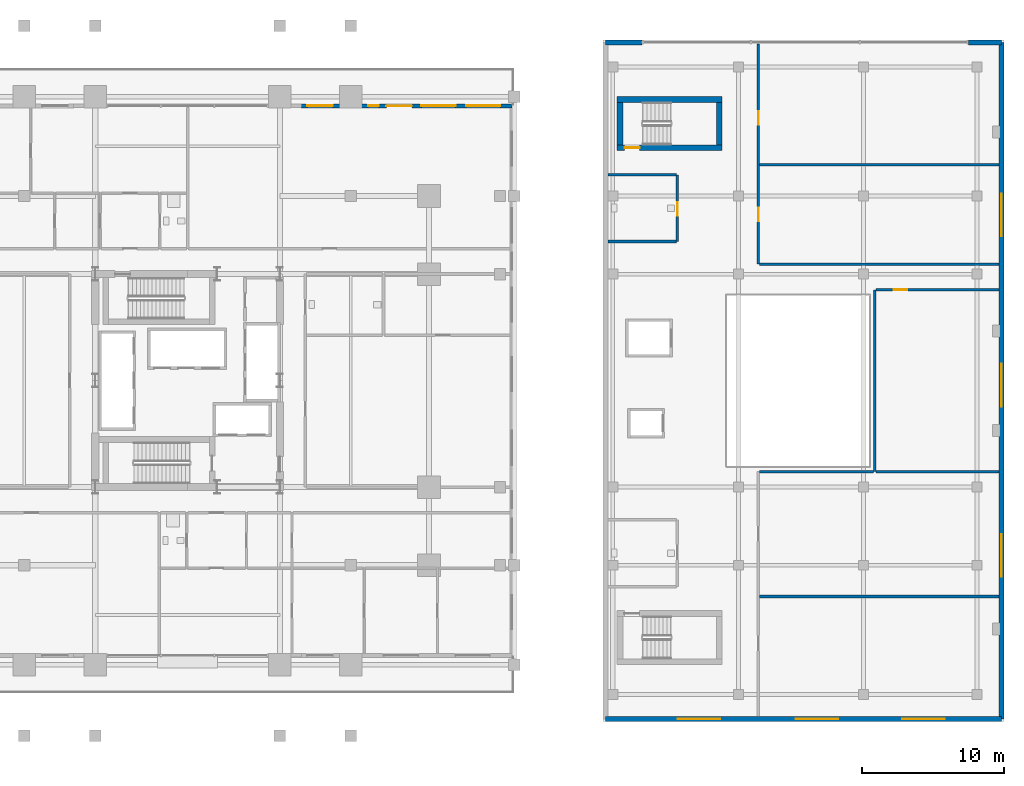
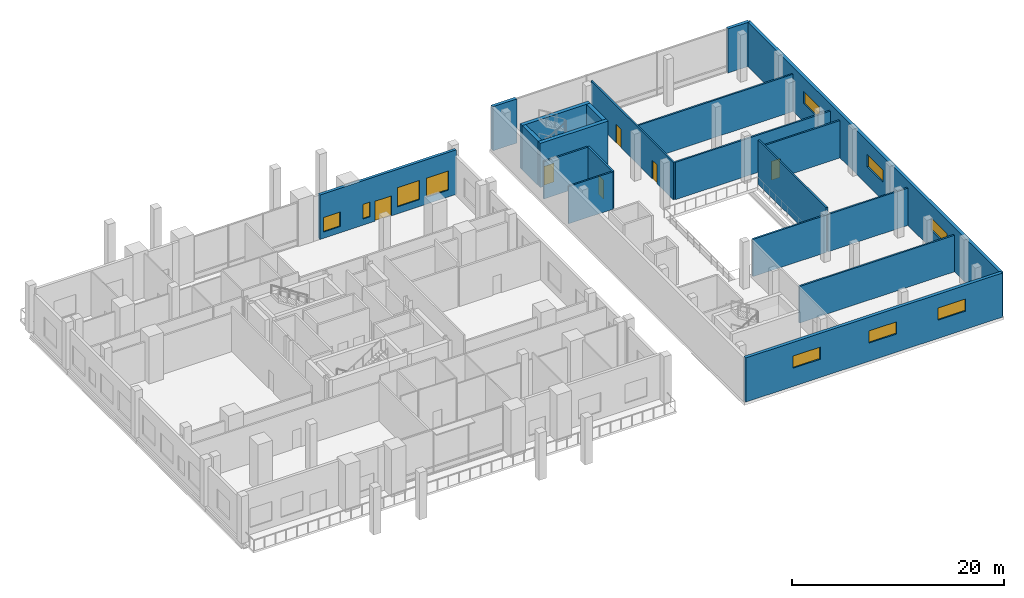
# One storey, part 15 of 22: 20 walls, 10 windows, 6 doors, 16 openings.
"""IFC4 building model written with IfcOpenShell, lengths in metres."""

from ifc_helpers import new_model, si_unit, direction, frame, frame_2d, origin, place, context, subcontext, project, spatial, rectangle, extrude, material, layer, layer_set, type_object, element, fill, save


model = new_model("IFC4")

# Units and contexts
model_context = context("Model", 3, precision=1e-05, world=origin(), true_north=direction((0.0, 1.0)))
body_context = subcontext(model_context, "Body", "Model", "MODEL_VIEW")
ifc_project = project(units=[si_unit("LENGTHUNIT", "METRE"), si_unit("AREAUNIT", "SQUARE_METRE"), si_unit("VOLUMEUNIT", "CUBIC_METRE"), si_unit("PLANEANGLEUNIT", "RADIAN"), si_unit("MASSUNIT", "GRAM", prefix="KILO")], contexts=[model_context])

# Site, building, storey
site_placement = place(None, origin())
site = spatial("IfcSite", under=ifc_project, at=site_placement, CompositionType="ELEMENT")
building_placement = place(site_placement, origin())
building = spatial("IfcBuilding", under=site, at=building_placement, Name="Barlavira Tower and Art Museum", CompositionType="ELEMENT")
storey_placement = place(building_placement, frame((0.0, 0.0, 16.800048828125)))
storey = spatial("IfcBuildingStorey", under=building, at=storey_placement, Name="L03", CompositionType="ELEMENT", Elevation=16.800048828125)

# Wall, opening, door
ifc_material_1 = material(Name="Gypsum acoustic stud partition", Category="gypsum")
ifc_layer_1 = layer(ifc_material_1, 0.179931640625, Name="Gypsum acoustic stud partition")
ifc_layer_set_1 = layer_set([ifc_layer_1], Name="Gypsum acoustic stud partition")
wall_type_1 = type_object("IfcWallType", Name="Inter-Tenancy Party Partition Wall 180", PredefinedType="PARTITIONING", material=ifc_layer_set_1)
wall_1_placement = place(storey_placement, frame((34.5, 9.800048828125, 0.0), z_axis=(0.0, 0.0, 1.0), x_axis=(0.0, 1.0, 0.0)))
wall_1 = element("IfcWall", 1, at=wall_1_placement, inside=storey, type_object=wall_type_1, Name="L03 Partition Wall 18", PredefinedType="PARTITIONING", context=body_context, shape_type="SweptSolid", body=[
    extrude(rectangle(XDim=4.699951171875, YDim=0.179931640625, at=frame_2d((2.35009765625, 0.0))), origin(), (0.0, 0.0, 1.0), 4.296875),
])
opening_1_placement = place(wall_1_placement, frame((1.824951171875, 0.0, 0.0)))
opening_1 = element("IfcOpeningElement", 2, at=opening_1_placement, cuts=wall_1, Name="Opening FD-60", PredefinedType="OPENING", context=body_context, shape_type="SweptSolid", body=[
    extrude(rectangle(XDim=0.949951171875, YDim=2.14990234375, at=frame_2d((0.47509765625, 1.074951171875))), frame((0.0, 0.10009765625, 0.0), z_axis=(0.0, -1.0, 0.0), x_axis=(1.0, 0.0, 0.0)), (0.0, 0.0, 1.0), 0.199951171875),
])
ifc_material_2 = material(Name="Brushed stainless steel", Category="steel")
door_type_1 = type_object("IfcDoorType", Name="Apartment Entrance and Riser Fire Door 950x2150 FD60S", OperationType="NOTDEFINED", PredefinedType="DOOR", material=ifc_material_2)
door_1_placement = place(opening_1_placement, origin())
door_1 = element("IfcDoor", 3, at=door_1_placement, inside=storey, type_object=door_type_1, Name="L03 Museum Visitor Restrooms Door", OperationType="SINGLE_SWING_RIGHT", OverallHeight=2.14990234375, OverallWidth=0.949951171875, PredefinedType="DOOR", context=body_context, shape_type="SweptSolid", body=[
    extrude(rectangle(XDim=0.949951171875, YDim=2.14990234375, at=frame_2d((0.47509765625, 1.074951171875))), frame((0.0, 0.02490234375, 0.0), z_axis=(0.0, -1.0, 0.0), x_axis=(1.0, 0.0, 0.0)), (0.0, 0.0, 1.0), 0.050048828125),
])
fill(opening_1, door_1)

# Wall, openings, doors
wall_2_placement = place(storey_placement, frame((40.199951171875, 8.199951171875, 0.0), z_axis=(0.0, 0.0, 1.0), x_axis=(0.0, 1.0, 0.0)))
wall_2 = element("IfcWall", 4, at=wall_2_placement, inside=storey, type_object=wall_type_1, Name="L03 Partition Wall 20", PredefinedType="PARTITIONING", context=body_context, shape_type="SweptSolid", body=[
    extrude(rectangle(XDim=15.52001953125, YDim=0.179931640625, at=frame_2d((7.760009765625, 0.0))), origin(), (0.0, 0.0, 1.0), 4.296875),
])
opening_2_placement = place(wall_2_placement, frame((3.02490234375, 0.0, 0.0)))
opening_2 = element("IfcOpeningElement", 5, at=opening_2_placement, cuts=wall_2, Name="Opening FD-60", PredefinedType="OPENING", context=body_context, shape_type="SweptSolid", body=[
    extrude(rectangle(XDim=0.949951171875, YDim=2.14990234375, at=frame_2d((0.47509765625, 1.074951171875))), frame((0.0, 0.10009765625, 0.0), z_axis=(0.0, -1.0, 0.0), x_axis=(1.0, 0.0, 0.0)), (0.0, 0.0, 1.0), 0.199951171875),
])
opening_3_placement = place(wall_2_placement, frame((9.824951171875, 0.0, 0.0)))
opening_3 = element("IfcOpeningElement", 6, at=opening_3_placement, cuts=wall_2, Name="Opening FD-60", PredefinedType="OPENING", context=body_context, shape_type="SweptSolid", body=[
    extrude(rectangle(XDim=0.949951171875, YDim=2.14990234375, at=frame_2d((0.47509765625, 1.074951171875))), frame((0.0, 0.10009765625, 0.0), z_axis=(0.0, -1.0, 0.0), x_axis=(1.0, 0.0, 0.0)), (0.0, 0.0, 1.0), 0.199951171875),
])
door_2_placement = place(opening_2_placement, origin())
door_2 = element("IfcDoor", 7, at=door_2_placement, inside=storey, type_object=door_type_1, Name="L03 North Coastal Contemporary Art Gallery Door", OperationType="SINGLE_SWING_RIGHT", OverallHeight=2.14990234375, OverallWidth=0.949951171875, PredefinedType="DOOR", context=body_context, shape_type="SweptSolid", body=[
    extrude(rectangle(XDim=0.949951171875, YDim=2.14990234375, at=frame_2d((0.47509765625, 1.074951171875))), frame((0.0, 0.02490234375, 0.0), z_axis=(0.0, -1.0, 0.0), x_axis=(1.0, 0.0, 0.0)), (0.0, 0.0, 1.0), 0.050048828125),
])
fill(opening_2, door_2)
door_3_placement = place(opening_3_placement, origin())
door_3 = element("IfcDoor", 8, at=door_3_placement, inside=storey, type_object=door_type_1, Name="L03 Curatorial Seminar Workshop Door", OperationType="SINGLE_SWING_LEFT", OverallHeight=2.14990234375, OverallWidth=0.949951171875, PredefinedType="DOOR", context=body_context, shape_type="SweptSolid", body=[
    extrude(rectangle(XDim=0.949951171875, YDim=2.14990234375, at=frame_2d((0.47509765625, 1.074951171875))), frame((0.0, 0.02490234375, 0.0), z_axis=(0.0, -1.0, 0.0), x_axis=(1.0, 0.0, 0.0)), (0.0, 0.0, 1.0), 0.050048828125),
])
fill(opening_3, door_3)

# Walls
wall_3_placement = place(storey_placement, frame((48.39990234375, -6.39990234375, 0.0), z_axis=(0.0, 0.0, 1.0), x_axis=(0.0, 1.0, 0.0)))
element("IfcWall", 9, at=wall_3_placement, inside=storey, type_object=wall_type_1, Name="L03 Partition Wall 21", PredefinedType="PARTITIONING", context=body_context, shape_type="SweptSolid", body=[
    extrude(rectangle(XDim=12.7998046875, YDim=0.179931640625, at=frame_2d((6.39990234375, 0.0))), origin(), (0.0, 0.0, 1.0), 5.079833984375),
])
wall_4_placement = place(storey_placement, frame((40.280029296875, -15.199951171875, 0.0), z_axis=(0.0, 0.0, 1.0), x_axis=(1.0, 0.0, 0.0)))
element("IfcWall", 10, at=wall_4_placement, inside=storey, type_object=wall_type_1, Name="L03 Partition Wall 22", PredefinedType="PARTITIONING", context=body_context, shape_type="SweptSolid", body=[
    extrude(rectangle(XDim=16.864990234375, YDim=0.179931640625, at=frame_2d((8.4326171875, 0.0))), origin(), (0.0, 0.0, 1.0), 4.2138671875),
])
wall_5_placement = place(storey_placement, frame((40.280029296875, -6.39990234375, 0.0), z_axis=(0.0, 0.0, 1.0), x_axis=(1.0, 0.0, 0.0)))
element("IfcWall", 11, at=wall_5_placement, inside=storey, type_object=wall_type_1, Name="L03 Partition Wall 38", PredefinedType="PARTITIONING", context=body_context, shape_type="SweptSolid", body=[
    extrude(rectangle(XDim=8.0400390625, YDim=0.179931640625, at=frame_2d((4.02001953125, 0.0))), origin(), (0.0, 0.0, 1.0), 4.296875),
])
wall_6_placement = place(storey_placement, frame((48.47998046875, -6.39990234375, 0.0), z_axis=(0.0, 0.0, 1.0), x_axis=(1.0, 0.0, 0.0)))
element("IfcWall", 12, at=wall_6_placement, inside=storey, type_object=wall_type_1, Name="L03 Partition Wall 39", PredefinedType="PARTITIONING", context=body_context, shape_type="SweptSolid", body=[
    extrude(rectangle(XDim=8.6650390625, YDim=0.179931640625, at=frame_2d((4.33251953125, 0.0))), origin(), (0.0, 0.0, 1.0), 4.296875),
])

# Wall, opening, door
wall_7_placement = place(storey_placement, frame((48.47998046875, 6.39990234375, 0.0), z_axis=(0.0, 0.0, 1.0), x_axis=(1.0, 0.0, 0.0)))
wall_7 = element("IfcWall", 13, at=wall_7_placement, inside=storey, type_object=wall_type_1, Name="L03 Partition Wall 42", PredefinedType="PARTITIONING", context=body_context, shape_type="SweptSolid", body=[
    extrude(rectangle(XDim=8.6650390625, YDim=0.179931640625, at=frame_2d((4.33251953125, 0.0))), origin(), (0.0, 0.0, 1.0), 4.296875),
])
opening_4_placement = place(wall_7_placement, frame((1.2451171875, 0.0, 0.0)))
opening_4 = element("IfcOpeningElement", 14, at=opening_4_placement, cuts=wall_7, Name="Opening FD-60", PredefinedType="OPENING", context=body_context, shape_type="SweptSolid", body=[
    extrude(rectangle(XDim=0.949951171875, YDim=2.14990234375, at=frame_2d((0.47509765625, 1.074951171875))), frame((0.0, 0.10009765625, 0.0), z_axis=(0.0, -1.0, 0.0), x_axis=(1.0, 0.0, 0.0)), (0.0, 0.0, 1.0), 0.199951171875),
])
door_4_placement = place(opening_4_placement, origin())
door_4 = element("IfcDoor", 15, at=door_4_placement, inside=storey, type_object=door_type_1, Name="L03 East Daylight Bridge Gallery Door", OperationType="SINGLE_SWING_RIGHT", OverallHeight=2.14990234375, OverallWidth=0.949951171875, PredefinedType="DOOR", context=body_context, shape_type="SweptSolid", body=[
    extrude(rectangle(XDim=0.949951171875, YDim=2.14990234375, at=frame_2d((0.47509765625, 1.074951171875))), frame((0.0, 0.02490234375, 0.0), z_axis=(0.0, -1.0, 0.0), x_axis=(1.0, 0.0, 0.0)), (0.0, 0.0, 1.0), 0.050048828125),
])
fill(opening_4, door_4)

# Walls
wall_8_placement = place(storey_placement, frame((40.280029296875, 8.199951171875, 0.0), z_axis=(0.0, 0.0, 1.0), x_axis=(1.0, 0.0, 0.0)))
element("IfcWall", 16, at=wall_8_placement, inside=storey, type_object=wall_type_1, Name="L03 Partition Wall 47", PredefinedType="PARTITIONING", context=body_context, shape_type="SweptSolid", body=[
    extrude(rectangle(XDim=16.864990234375, YDim=0.179931640625, at=frame_2d((8.4326171875, 0.0))), origin(), (0.0, 0.0, 1.0), 4.296875),
])
for number, where, z_axis, x_axis, name in (
    (17, (29.60498046875, 9.800048828125, 0.0), (0.0, 0.0, 1.0), (1.0, 0.0, 0.0), "L03 Partition Wall 53"),
    (18, (29.60498046875, 14.5, 0.0), (0.0, 0.0, 1.0), (1.0, 0.0, 0.0), "L03 Partition Wall 60"),
):
    element("IfcWall", number, at=place(storey_placement, frame(where, z_axis=z_axis, x_axis=x_axis)), inside=storey, type_object=wall_type_1, Name=name, PredefinedType="PARTITIONING", context=body_context, shape_type="SweptSolid", body=[
        extrude(rectangle(XDim=4.81494140625, YDim=0.179931640625, at=frame_2d((2.407470703125, 0.0))), origin(), (0.0, 0.0, 1.0), 4.296875),
    ])
wall_9_placement = place(storey_placement, frame((40.280029296875, 15.199951171875, 0.0), z_axis=(0.0, 0.0, 1.0), x_axis=(1.0, 0.0, 0.0)))
element("IfcWall", 19, at=wall_9_placement, inside=storey, type_object=wall_type_1, Name="L03 Partition Wall 61", PredefinedType="PARTITIONING", context=body_context, shape_type="SweptSolid", body=[
    extrude(rectangle(XDim=16.864990234375, YDim=0.179931640625, at=frame_2d((8.4326171875, 0.0))), origin(), (0.0, 0.0, 1.0), 4.296875),
])

# Wall, openings, windows
ifc_material_3 = material(Name="Precast concrete C40", Category="concrete")
ifc_layer_2 = layer(ifc_material_3, 0.35009765625, Name="Precast concrete C40")
ifc_layer_set_2 = layer_set([ifc_layer_2], Name="Precast concrete C40")
wall_type_2 = type_object("IfcWallType", Name="Museum Board-Formed Concrete Facade Wall 350 Concrete C40", PredefinedType="SOLIDWALL", material=ifc_layer_set_2)
wall_10_placement = place(storey_placement, frame((57.324951171875, -23.824951171875, 0.0), z_axis=(0.0, 0.0, 1.0), x_axis=(-1.0, 0.0, 0.0)))
wall_10 = element("IfcWall", 20, at=wall_10_placement, inside=storey, type_object=wall_type_2, Name="L03 Museum South Facade Wall", PredefinedType="SOLIDWALL", context=body_context, shape_type="SweptSolid", body=[
    extrude(rectangle(XDim=27.89990234375, YDim=0.35009765625, at=frame_2d((13.949951171875, 0.0))), origin(), (0.0, 0.0, 1.0), 5.079833984375),
])
opening_5_placement = place(wall_10_placement, frame((4.0, 0.0, 2.10009765625)))
opening_5 = element("IfcOpeningElement", 21, at=opening_5_placement, cuts=wall_10, Name="Opening WN-03", PredefinedType="OPENING", context=body_context, shape_type="SweptSolid", body=[
    extrude(rectangle(XDim=3.0, YDim=1.39990234375, at=frame_2d((1.5, 0.699951171875))), frame((0.0, 0.18505859375, 0.0), z_axis=(0.0, -1.0, 0.0), x_axis=(1.0, 0.0, 0.0)), (0.0, 0.0, 1.0), 0.3701171875),
])
opening_6_placement = place(wall_10_placement, frame((11.5, 0.0, 2.10009765625)))
opening_6 = element("IfcOpeningElement", 22, at=opening_6_placement, cuts=wall_10, Name="Opening WN-03", PredefinedType="OPENING", context=body_context, shape_type="SweptSolid", body=[
    extrude(rectangle(XDim=3.0, YDim=1.39990234375, at=frame_2d((1.5, 0.699951171875))), frame((0.0, 0.18505859375, 0.0), z_axis=(0.0, -1.0, 0.0), x_axis=(1.0, 0.0, 0.0)), (0.0, 0.0, 1.0), 0.3701171875),
])
opening_7_placement = place(wall_10_placement, frame((19.800048828125, 0.0, 2.10009765625)))
opening_7 = element("IfcOpeningElement", 23, at=opening_7_placement, cuts=wall_10, Name="Opening WN-03", PredefinedType="OPENING", context=body_context, shape_type="SweptSolid", body=[
    extrude(rectangle(XDim=3.0, YDim=1.39990234375, at=frame_2d((1.5, 0.699951171875))), frame((0.0, 0.18505859375, 0.0), z_axis=(0.0, -1.0, 0.0), x_axis=(1.0, 0.0, 0.0)), (0.0, 0.0, 1.0), 0.3701171875),
])
ifc_material_4 = material(Name="Low-iron coastal laminated glass", Category="glass")
window_type_1 = type_object("IfcWindowType", Name="Museum Controlled-Daylight Clerestory Window 3000x1400", PartitioningType="SINGLE_PANEL", PredefinedType="WINDOW", material=ifc_material_4)
window_1_placement = place(opening_5_placement, origin())
window_1 = element("IfcWindow", 24, at=window_1_placement, inside=storey, type_object=window_type_1, Name="L03 Museum Clerestory Window S1", OverallHeight=1.39990234375, OverallWidth=3.0, PartitioningType="SINGLE_PANEL", PredefinedType="WINDOW", context=body_context, shape_type="SweptSolid", body=[
    extrude(rectangle(XDim=3.0, YDim=1.39990234375, at=frame_2d((1.5, 0.699951171875))), frame((0.0, 0.030029296875, 0.0), z_axis=(0.0, -1.0, 0.0), x_axis=(1.0, 0.0, 0.0)), (0.0, 0.0, 1.0), 0.06005859375),
])
fill(opening_5, window_1)
window_2_placement = place(opening_6_placement, origin())
window_2 = element("IfcWindow", 25, at=window_2_placement, inside=storey, type_object=window_type_1, Name="L03 Museum Clerestory Window S2", OverallHeight=1.39990234375, OverallWidth=3.0, PartitioningType="SINGLE_PANEL", PredefinedType="WINDOW", context=body_context, shape_type="SweptSolid", body=[
    extrude(rectangle(XDim=3.0, YDim=1.39990234375, at=frame_2d((1.5, 0.699951171875))), frame((0.0, 0.030029296875, 0.0), z_axis=(0.0, -1.0, 0.0), x_axis=(1.0, 0.0, 0.0)), (0.0, 0.0, 1.0), 0.06005859375),
])
fill(opening_6, window_2)
window_3_placement = place(opening_7_placement, origin())
window_3 = element("IfcWindow", 26, at=window_3_placement, inside=storey, type_object=window_type_1, Name="L03 Museum Clerestory Window S3", OverallHeight=1.39990234375, OverallWidth=3.0, PartitioningType="SINGLE_PANEL", PredefinedType="WINDOW", context=body_context, shape_type="SweptSolid", body=[
    extrude(rectangle(XDim=3.0, YDim=1.39990234375, at=frame_2d((1.5, 0.699951171875))), frame((0.0, 0.030029296875, 0.0), z_axis=(0.0, -1.0, 0.0), x_axis=(1.0, 0.0, 0.0)), (0.0, 0.0, 1.0), 0.06005859375),
])
fill(opening_7, window_3)

wall_11_placement = place(storey_placement, frame((57.324951171875, -23.824951171875, 0.0), z_axis=(0.0, 0.0, 1.0), x_axis=(0.0, 1.0, 0.0)))
wall_11 = element("IfcWall", 27, at=wall_11_placement, inside=storey, type_object=wall_type_2, Name="L03 Museum East Coastal Facade Wall", PredefinedType="SOLIDWALL", context=body_context, shape_type="SweptSolid", body=[
    extrude(rectangle(XDim=47.64990234375, YDim=0.35009765625, at=frame_2d((23.824951171875, 0.0))), origin(), (0.0, 0.0, 1.0), 5.079833984375),
])
opening_8_placement = place(wall_11_placement, frame((10.0, 0.0, 2.10009765625)))
opening_8 = element("IfcOpeningElement", 28, at=opening_8_placement, cuts=wall_11, Name="Opening WN-03", PredefinedType="OPENING", context=body_context, shape_type="SweptSolid", body=[
    extrude(rectangle(XDim=3.0, YDim=1.39990234375, at=frame_2d((1.5, 0.699951171875))), frame((0.0, 0.18505859375, 0.0), z_axis=(0.0, -1.0, 0.0), x_axis=(1.0, 0.0, 0.0)), (0.0, 0.0, 1.0), 0.3701171875),
])
opening_9_placement = place(wall_11_placement, frame((22.0, 0.0, 2.10009765625)))
opening_9 = element("IfcOpeningElement", 29, at=opening_9_placement, cuts=wall_11, Name="Opening WN-03", PredefinedType="OPENING", context=body_context, shape_type="SweptSolid", body=[
    extrude(rectangle(XDim=3.0, YDim=1.39990234375, at=frame_2d((1.5, 0.699951171875))), frame((0.0, 0.18505859375, 0.0), z_axis=(0.0, -1.0, 0.0), x_axis=(1.0, 0.0, 0.0)), (0.0, 0.0, 1.0), 0.3701171875),
])
opening_10_placement = place(wall_11_placement, frame((34.0, 0.0, 2.10009765625)))
opening_10 = element("IfcOpeningElement", 30, at=opening_10_placement, cuts=wall_11, Name="Opening WN-03", PredefinedType="OPENING", context=body_context, shape_type="SweptSolid", body=[
    extrude(rectangle(XDim=3.0, YDim=1.39990234375, at=frame_2d((1.5, 0.699951171875))), frame((0.0, 0.18505859375, 0.0), z_axis=(0.0, -1.0, 0.0), x_axis=(1.0, 0.0, 0.0)), (0.0, 0.0, 1.0), 0.3701171875),
])
window_4_placement = place(opening_8_placement, origin())
window_4 = element("IfcWindow", 31, at=window_4_placement, inside=storey, type_object=window_type_1, Name="L03 Museum Coastal Clerestory Window E1", OverallHeight=1.39990234375, OverallWidth=3.0, PartitioningType="SINGLE_PANEL", PredefinedType="WINDOW", context=body_context, shape_type="SweptSolid", body=[
    extrude(rectangle(XDim=3.0, YDim=1.39990234375, at=frame_2d((1.5, 0.699951171875))), frame((0.0, 0.030029296875, 0.0), z_axis=(0.0, -1.0, 0.0), x_axis=(1.0, 0.0, 0.0)), (0.0, 0.0, 1.0), 0.06005859375),
])
fill(opening_8, window_4)
window_5_placement = place(opening_9_placement, origin())
window_5 = element("IfcWindow", 32, at=window_5_placement, inside=storey, type_object=window_type_1, Name="L03 Museum Coastal Clerestory Window E2", OverallHeight=1.39990234375, OverallWidth=3.0, PartitioningType="SINGLE_PANEL", PredefinedType="WINDOW", context=body_context, shape_type="SweptSolid", body=[
    extrude(rectangle(XDim=3.0, YDim=1.39990234375, at=frame_2d((1.5, 0.699951171875))), frame((0.0, 0.030029296875, 0.0), z_axis=(0.0, -1.0, 0.0), x_axis=(1.0, 0.0, 0.0)), (0.0, 0.0, 1.0), 0.06005859375),
])
fill(opening_9, window_5)
window_6_placement = place(opening_10_placement, origin())
window_6 = element("IfcWindow", 33, at=window_6_placement, inside=storey, type_object=window_type_1, Name="L03 Museum Coastal Clerestory Window E3", OverallHeight=1.39990234375, OverallWidth=3.0, PartitioningType="SINGLE_PANEL", PredefinedType="WINDOW", context=body_context, shape_type="SweptSolid", body=[
    extrude(rectangle(XDim=3.0, YDim=1.39990234375, at=frame_2d((1.5, 0.699951171875))), frame((0.0, 0.030029296875, 0.0), z_axis=(0.0, -1.0, 0.0), x_axis=(1.0, 0.0, 0.0)), (0.0, 0.0, 1.0), 0.06005859375),
])
fill(opening_10, window_6)

# Walls
wall_12_placement = place(storey_placement, frame((57.324951171875, 23.824951171875, 0.0), z_axis=(0.0, 0.0, 1.0), x_axis=(-1.0, 0.0, 0.0)))
element("IfcWall", 34, at=wall_12_placement, inside=storey, type_object=wall_type_2, Name="L03 Museum North-East Pier Wall", PredefinedType="SOLIDWALL", context=body_context, shape_type="SweptSolid", body=[
    extrude(rectangle(XDim=2.324951171875, YDim=0.35009765625, at=frame_2d((1.16259765625, 0.0))), origin(), (0.0, 0.0, 1.0), 5.079833984375),
])
wall_13_placement = place(storey_placement, frame((29.425048828125, 23.824951171875, 0.0), z_axis=(0.0, 0.0, 1.0), x_axis=(1.0, 0.0, 0.0)))
element("IfcWall", 35, at=wall_13_placement, inside=storey, type_object=wall_type_2, Name="L03 Museum North-West Pier Wall", PredefinedType="SOLIDWALL", context=body_context, shape_type="SweptSolid", body=[
    extrude(rectangle(XDim=2.574951171875, YDim=0.35009765625, at=frame_2d((1.28759765625, 0.0))), origin(), (0.0, 0.0, 1.0), 5.079833984375),
])

# Wall, openings, windows, door
ifc_layer_3 = layer(ifc_material_3, 0.300048828125, Name="Precast concrete C40")
ifc_layer_set_3 = layer_set([ifc_layer_3], Name="Precast concrete C40")
wall_type_3 = type_object("IfcWallType", Name="Podium Architectural Precast Facade Wall 300 Concrete C40", PredefinedType="SOLIDWALL", material=ifc_layer_set_3)
wall_14_placement = place(storey_placement, frame((8.0, 19.35009765625, 0.0), z_axis=(0.0, 0.0, 1.0), x_axis=(1.0, 0.0, 0.0)))
wall_14 = element("IfcWall", 36, at=wall_14_placement, inside=storey, type_object=wall_type_3, Name="L03 Podium North-East Wall", PredefinedType="SOLIDWALL", context=body_context, shape_type="SweptSolid", body=[
    extrude(rectangle(XDim=14.85009765625, YDim=0.300048828125, at=frame_2d((7.425048828125, 0.0))), origin(), (0.0, 0.0, 1.0), 5.119873046875),
])
opening_11_placement = place(wall_14_placement, frame((6.0, 0.0, 0.0)))
opening_11 = element("IfcOpeningElement", 37, at=opening_11_placement, cuts=wall_14, Name="Opening ED-03", PredefinedType="OPENING", context=body_context, shape_type="SweptSolid", body=[
    extrude(rectangle(XDim=1.800048828125, YDim=2.300048828125, at=frame_2d((0.89990234375, 1.14990234375))), frame((0.0, 0.16015625, 0.0), z_axis=(0.0, -1.0, 0.0), x_axis=(1.0, 0.0, 0.0)), (0.0, 0.0, 1.0), 0.320068359375),
])
opening_12_placement = place(wall_14_placement, frame((0.429931640625, 0.0, 0.719970703125)))
opening_12 = element("IfcOpeningElement", 38, at=opening_12_placement, cuts=wall_14, Name="Opening WN-01", PredefinedType="OPENING", context=body_context, shape_type="SweptSolid", body=[
    extrude(rectangle(XDim=1.800048828125, YDim=1.679931640625, at=frame_2d((0.89990234375, 0.83984375))), frame((0.0, 0.16015625, 0.0), z_axis=(0.0, -1.0, 0.0), x_axis=(1.0, 0.0, 0.0)), (0.0, 0.0, 1.0), 0.320068359375),
])
opening_13_placement = place(wall_14_placement, frame((4.719970703125, 0.0, 0.719970703125)))
opening_13 = element("IfcOpeningElement", 39, at=opening_13_placement, cuts=wall_14, Name="Opening WN-06", PredefinedType="OPENING", context=body_context, shape_type="SweptSolid", body=[
    extrude(rectangle(XDim=0.760009765625, YDim=1.679931640625, at=frame_2d((0.3798828125, 0.83984375))), frame((0.0, 0.16015625, 0.0), z_axis=(0.0, -1.0, 0.0), x_axis=(1.0, 0.0, 0.0)), (0.0, 0.0, 1.0), 0.320068359375),
])
opening_14_placement = place(wall_14_placement, frame((8.47509765625, 0.0, 0.800048828125)))
opening_14 = element("IfcOpeningElement", 40, at=opening_14_placement, cuts=wall_14, Name="Opening WN-02", PredefinedType="OPENING", context=body_context, shape_type="SweptSolid", body=[
    extrude(rectangle(XDim=2.39990234375, YDim=2.199951171875, at=frame_2d((1.199951171875, 1.10009765625))), frame((0.0, 0.16015625, 0.0), z_axis=(0.0, -1.0, 0.0), x_axis=(1.0, 0.0, 0.0)), (0.0, 0.0, 1.0), 0.320068359375),
])
opening_15_placement = place(wall_14_placement, frame((11.625, 0.0, 0.800048828125)))
opening_15 = element("IfcOpeningElement", 41, at=opening_15_placement, cuts=wall_14, Name="Opening WN-02", PredefinedType="OPENING", context=body_context, shape_type="SweptSolid", body=[
    extrude(rectangle(XDim=2.39990234375, YDim=2.199951171875, at=frame_2d((1.199951171875, 1.10009765625))), frame((0.0, 0.16015625, 0.0), z_axis=(0.0, -1.0, 0.0), x_axis=(1.0, 0.0, 0.0)), (0.0, 0.0, 1.0), 0.320068359375),
])
window_type_2 = type_object("IfcWindowType", Name="Podium Garden Gallery Window 2400x2200", PartitioningType="SINGLE_PANEL", PredefinedType="WINDOW", material=ifc_material_4)
window_7_placement = place(opening_14_placement, origin())
window_7 = element("IfcWindow", 42, at=window_7_placement, inside=storey, type_object=window_type_2, Name="L03 Punched Facade Window EW-L03-NE-3", OverallHeight=2.199951171875, OverallWidth=2.39990234375, PartitioningType="SINGLE_PANEL", PredefinedType="WINDOW", context=body_context, shape_type="SweptSolid", body=[
    extrude(rectangle(XDim=2.39990234375, YDim=2.199951171875, at=frame_2d((1.199951171875, 1.10009765625))), frame((0.0, 0.030029296875, 0.0), z_axis=(0.0, -1.0, 0.0), x_axis=(1.0, 0.0, 0.0)), (0.0, 0.0, 1.0), 0.06005859375),
])
fill(opening_14, window_7)
window_8_placement = place(opening_15_placement, origin())
window_8 = element("IfcWindow", 43, at=window_8_placement, inside=storey, type_object=window_type_2, Name="L03 Punched Facade Window EW-L03-NE-4", OverallHeight=2.199951171875, OverallWidth=2.39990234375, PartitioningType="SINGLE_PANEL", PredefinedType="WINDOW", context=body_context, shape_type="SweptSolid", body=[
    extrude(rectangle(XDim=2.39990234375, YDim=2.199951171875, at=frame_2d((1.199951171875, 1.10009765625))), frame((0.0, 0.030029296875, 0.0), z_axis=(0.0, -1.0, 0.0), x_axis=(1.0, 0.0, 0.0)), (0.0, 0.0, 1.0), 0.06005859375),
])
fill(opening_15, window_8)
window_type_3 = type_object("IfcWindowType", Name="Recessed Narrow Pier Window 760x1680", PartitioningType="SINGLE_PANEL", PredefinedType="WINDOW", material=ifc_material_4)
window_9_placement = place(opening_13_placement, origin())
window_9 = element("IfcWindow", 44, at=window_9_placement, inside=storey, type_object=window_type_3, Name="L03 Punched Facade Window EW-L03-NE-2", OverallHeight=1.679931640625, OverallWidth=0.760009765625, PartitioningType="SINGLE_PANEL", PredefinedType="WINDOW", context=body_context, shape_type="SweptSolid", body=[
    extrude(rectangle(XDim=0.760009765625, YDim=1.679931640625, at=frame_2d((0.3798828125, 0.83984375))), frame((0.0, 0.030029296875, 0.0), z_axis=(0.0, -1.0, 0.0), x_axis=(1.0, 0.0, 0.0)), (0.0, 0.0, 1.0), 0.06005859375),
])
fill(opening_13, window_9)
window_type_4 = type_object("IfcWindowType", Name="Recessed Notch Corner Punch Window 1800x1680", PartitioningType="SINGLE_PANEL", PredefinedType="WINDOW", material=ifc_material_4)
window_10_placement = place(opening_12_placement, origin())
window_10 = element("IfcWindow", 45, at=window_10_placement, inside=storey, type_object=window_type_4, Name="L03 Punched Facade Window EW-L03-NE-1", OverallHeight=1.679931640625, OverallWidth=1.800048828125, PartitioningType="SINGLE_PANEL", PredefinedType="WINDOW", context=body_context, shape_type="SweptSolid", body=[
    extrude(rectangle(XDim=1.800048828125, YDim=1.679931640625, at=frame_2d((0.89990234375, 0.83984375))), frame((0.0, 0.030029296875, 0.0), z_axis=(0.0, -1.0, 0.0), x_axis=(1.0, 0.0, 0.0)), (0.0, 0.0, 1.0), 0.06005859375),
])
fill(opening_12, window_10)
ifc_material_5 = material(Name="Pale anodised aluminium", Category="aluminium")
door_type_2 = type_object("IfcDoorType", Name="Terrace and Observation Deck Glazed Door 1800x2300", OperationType="NOTDEFINED", PredefinedType="DOOR", material=ifc_material_5)
door_5_placement = place(opening_11_placement, origin())
door_5 = element("IfcDoor", 46, at=door_5_placement, inside=storey, type_object=door_type_2, Name="L03 North Cascade Terrace Access Door", OperationType="DOUBLE_DOOR_SINGLE_SWING", OverallHeight=2.300048828125, OverallWidth=1.800048828125, PredefinedType="DOOR", context=body_context, shape_type="SweptSolid", body=[
    extrude(rectangle(XDim=1.800048828125, YDim=2.300048828125, at=frame_2d((0.89990234375, 1.14990234375))), frame((0.0, 0.02490234375, 0.0), z_axis=(0.0, -1.0, 0.0), x_axis=(1.0, 0.0, 0.0)), (0.0, 0.0, 1.0), 0.050048828125),
])
fill(opening_11, door_5)

# Walls
ifc_material_6 = material(Name="Concrete C55", Category="concrete")
ifc_layer_4 = layer(ifc_material_6, 0.39990234375, Name="Concrete C55")
ifc_layer_set_4 = layer_set([ifc_layer_4], Name="Concrete C55")
wall_type_4 = type_object("IfcWallType", Name="Upper Core Shear Wall 400 Concrete C55", PredefinedType="SHEAR", material=ifc_layer_set_4)
wall_15_placement = place(storey_placement, frame((30.25, 19.800048828125, 0.0), z_axis=(0.0, 0.0, 1.0), x_axis=(1.0, 0.0, 0.0)))
element("IfcWall", 47, at=wall_15_placement, inside=storey, type_object=wall_type_4, Name="L03 ST-M2 North Shaft Wall", PredefinedType="SHEAR", context=body_context, shape_type="SweptSolid", body=[
    extrude(rectangle(XDim=7.39990234375, YDim=0.39990234375, at=frame_2d((3.699951171875, 0.0))), origin(), (0.0, 0.0, 1.0), 5.079833984375),
])
for number, where, z_axis, x_axis, name in (
    (48, (37.449951171875, 16.60009765625, 0.0), (0.0, 0.0, 1.0), (0.0, 1.0, 0.0), "L03 ST-M2 East Half-Landing Wall"),
    (49, (30.449951171875, 16.60009765625, 0.0), (0.0, 0.0, 1.0), (0.0, 1.0, 0.0), "L03 ST-M2 West Shaft Wall"),
):
    element("IfcWall", number, at=place(storey_placement, frame(where, z_axis=z_axis, x_axis=x_axis)), inside=storey, type_object=wall_type_4, Name=name, PredefinedType="SHEAR", context=body_context, shape_type="SweptSolid", body=[
        extrude(rectangle(XDim=3.0, YDim=0.39990234375, at=frame_2d((1.5, 0.0))), origin(), (0.0, 0.0, 1.0), 5.079833984375),
    ])

# Wall, opening, door
wall_16_placement = place(storey_placement, frame((37.64990234375, 16.39990234375, 0.0), z_axis=(0.0, 0.0, 1.0), x_axis=(-1.0, 0.0, 0.0)))
wall_16 = element("IfcWall", 50, at=wall_16_placement, inside=storey, type_object=wall_type_4, Name="L03 ST-M2 South Landing Wall", PredefinedType="SHEAR", context=body_context, shape_type="SweptSolid", body=[
    extrude(rectangle(XDim=7.39990234375, YDim=0.39990234375, at=frame_2d((3.699951171875, 0.0))), origin(), (0.0, 0.0, 1.0), 5.079833984375),
])
opening_16_placement = place(wall_16_placement, frame((5.820068359375, 0.0, 0.0)))
opening_16 = element("IfcOpeningElement", 51, at=opening_16_placement, cuts=wall_16, Name="Opening FD-90", PredefinedType="OPENING", context=body_context, shape_type="SweptSolid", body=[
    extrude(rectangle(XDim=1.050048828125, YDim=2.14990234375, at=frame_2d((0.52490234375, 1.074951171875))), frame((0.0, 0.2099609375, 0.0), z_axis=(0.0, -1.0, 0.0), x_axis=(1.0, 0.0, 0.0)), (0.0, 0.0, 1.0), 0.419921875),
])
door_type_3 = type_object("IfcDoorType", Name="Stair and Refuge Fire Door 1050x2150 FD90S", OperationType="NOTDEFINED", PredefinedType="DOOR", material=ifc_material_2)
door_6_placement = place(opening_16_placement, origin())
door_6 = element("IfcDoor", 52, at=door_6_placement, inside=storey, type_object=door_type_3, Name="L03 Museum North Stair ST-M2 Fire Door", OperationType="SINGLE_SWING_RIGHT", OverallHeight=2.14990234375, OverallWidth=1.050048828125, PredefinedType="DOOR", context=body_context, shape_type="SweptSolid", body=[
    extrude(rectangle(XDim=1.050048828125, YDim=2.14990234375, at=frame_2d((0.52490234375, 1.074951171875))), frame((0.0, 0.02490234375, 0.0), z_axis=(0.0, -1.0, 0.0), x_axis=(1.0, 0.0, 0.0)), (0.0, 0.0, 1.0), 0.050048828125),
])
fill(opening_16, door_6)

save(model, "model.ifc")
